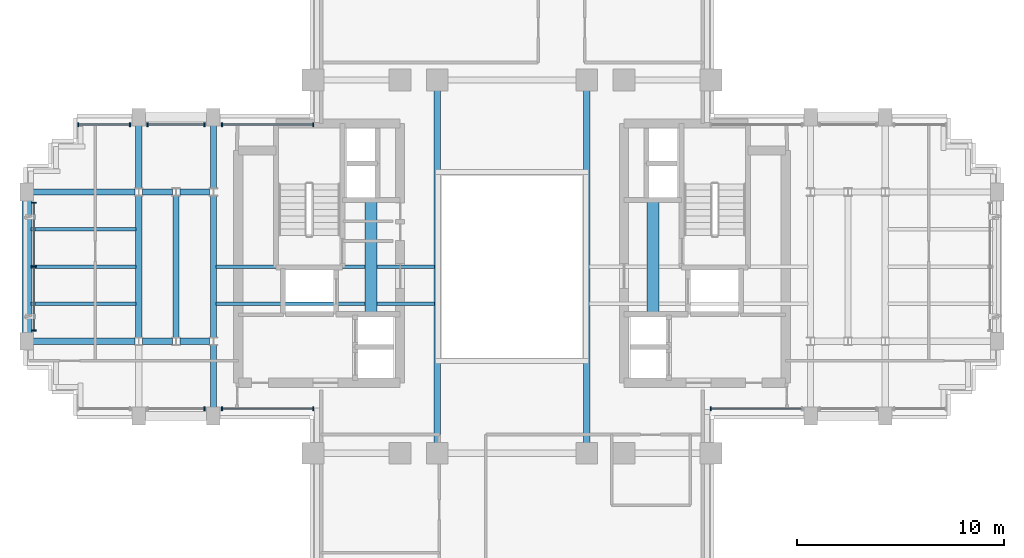
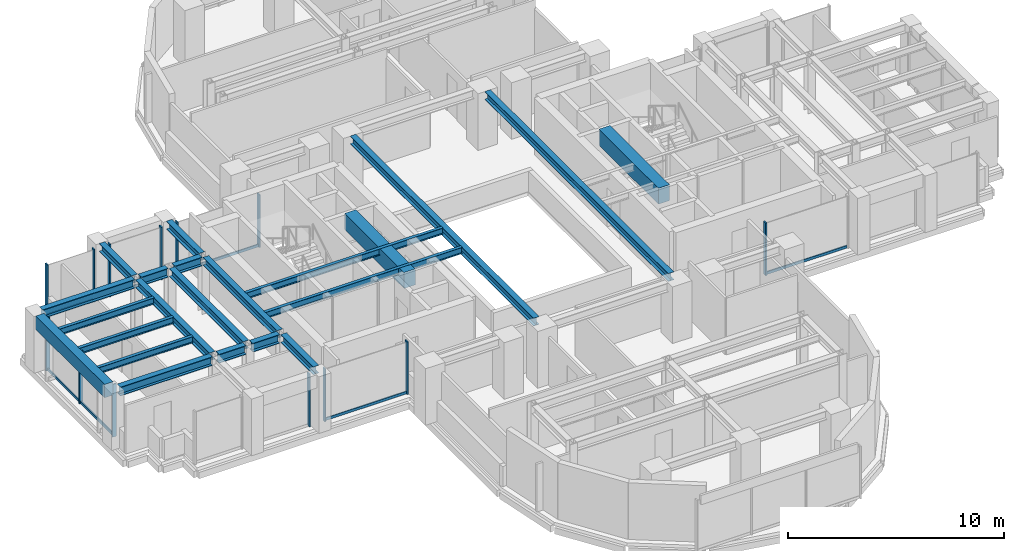
# One storey, part 4 of 14: 22 beams, 20 members, 7 elements without a shape of their own.
"""IFC4 building model written with IfcOpenShell, lengths in metres."""

from ifc_helpers import new_model, si_unit, direction, frame, origin, origin_2d, place, context, subcontext, project, spatial, rectangle, i_section, extrude, source, transform, mapped, material, material_profile, profile_set, type_object, element, aggregate, save


model = new_model("IFC4")

# Units and contexts
model_context = context("Model", 3, precision=1e-05, world=origin(), true_north=direction((0.0, 1.0)))
body_context = subcontext(model_context, "Body", "Model", "MODEL_VIEW")
ifc_project = project(units=[si_unit("LENGTHUNIT", "METRE"), si_unit("AREAUNIT", "SQUARE_METRE"), si_unit("VOLUMEUNIT", "CUBIC_METRE"), si_unit("PLANEANGLEUNIT", "RADIAN"), si_unit("MASSUNIT", "GRAM", prefix="KILO")], contexts=[model_context])

# Site, building, storey
site_placement = place(None, origin())
site = spatial("IfcSite", under=ifc_project, at=site_placement, CompositionType="ELEMENT")
building_placement = place(site_placement, origin())
building = spatial("IfcBuilding", under=site, at=building_placement, Name="Keilestroom Media Tower", CompositionType="ELEMENT")
storey_placement = place(building_placement, frame((0.0, 0.0, 114.199951171875)))
storey = spatial("IfcBuildingStorey", under=building, at=storey_placement, Name="L30", CompositionType="ELEMENT", Elevation=114.199951171875)

# Beams
ifc_material_1 = material(Name="Concrete C70/85", Category="concrete")
ifc_material_profile_1 = material_profile(ifc_material_1, rectangle(XDim=0.60009765625, YDim=0.89990234375, at=origin_2d()), Name="RC 600x900")
ifc_profile_set_1 = profile_set([ifc_material_profile_1], Name="Concrete C70/85")
beam_type_1 = type_object("IfcBeamType", Name="Core-Coupling-Lintel-Beam-RC-600x900", PredefinedType="LINTEL", material=ifc_profile_set_1)
shared_shape_1 = source(origin(), body_context, "Body", "SweptSolid", [
    extrude(rectangle(XDim=0.60009765625, YDim=0.89990234375, at=origin_2d()), origin(), (0.0, 0.0, 1.0), 5.52001953125),
])
for number, where, z_axis, x_axis, name in (
    (1, (-6.800048828125, -2.300048828125, 2.75), (0.0, 1.0, 0.0), (-1.0, 0.0, 0.0), "L30 Beam CLB-1 CLB-L30-W"),
    (2, (6.800048828125, -2.300048828125, 2.75), (0.0, 1.0, 0.0), (-1.0, 0.0, 0.0), "L30 Beam CLB-1 CLB-L30-E"),
):
    element("IfcBeam", number, at=place(storey_placement, frame(where, z_axis=z_axis, x_axis=x_axis)), inside=storey, type_object=beam_type_1, Name=name, PredefinedType="LINTEL", context=body_context, shape_type="MappedRepresentation", body=[
        mapped(shared_shape_1, transform((0.0, 0.0, 0.0), x_axis=(1.0, 0.0, 0.0), y_axis=(0.0, 1.0, 0.0), z_axis=(0.0, 0.0, 1.0), scale=1.0)),
    ])
ifc_material_2 = material(Name="Steel S355", Category="steel")
ifc_material_profile_2 = material_profile(ifc_material_2, i_section(OverallWidth=0.169921875, OverallDepth=0.360107421875, WebThickness=0.008056640625, FlangeThickness=0.0126953125, at=origin_2d()), Name="IPE 360")
ifc_profile_set_2 = profile_set([ifc_material_profile_2], Name="Steel S355")
beam_type_2 = type_object("IfcBeamType", Name="Secondary-Floor-Joist-IPE-360", PredefinedType="JOIST", material=ifc_profile_set_2)
shared_shape_2 = source(origin(), body_context, "Body", "SweptSolid", [
    extrude(i_section(OverallWidth=0.169921875, OverallDepth=0.360107421875, WebThickness=0.008056640625, FlangeThickness=0.0126953125, at=origin_2d()), origin(), (0.0, 0.0, 1.0), 10.5400390625),
])
for number, where, z_axis, x_axis, name in (
    (3, (-14.27001953125, -1.800048828125, 3.02001953125), (1.0, 0.0, 0.0), (0.0, 1.0, 0.0), "L30 Beam BJ-5 JST-L30-072"),
    (4, (-14.27001953125, 0.0, 3.02001953125), (1.0, 0.0, 0.0), (0.0, 1.0, 0.0), "L30 Beam BJ-5 JST-L30-077"),
):
    element("IfcBeam", number, at=place(storey_placement, frame(where, z_axis=z_axis, x_axis=x_axis)), inside=storey, type_object=beam_type_2, Name=name, PredefinedType="JOIST", context=body_context, shape_type="MappedRepresentation", body=[
        mapped(shared_shape_2, transform((0.0, 0.0, 0.0), x_axis=(1.0, 0.0, 0.0), y_axis=(0.0, 1.0, 0.0), z_axis=(0.0, 0.0, 1.0), scale=1.0)),
    ])
ifc_material_profile_3 = material_profile(ifc_material_2, i_section(OverallWidth=0.300048828125, OverallDepth=0.5, WebThickness=0.012451171875, FlangeThickness=0.028076171875, at=origin_2d()), Name="HEB 500")
ifc_profile_set_3 = profile_set([ifc_material_profile_3], Name="Steel S355")
beam_type_3 = type_object("IfcBeamType", Name="Primary-Structural-Girder-HEB-500", PredefinedType="BEAM", material=ifc_profile_set_3)
shared_shape_3 = source(origin(), body_context, "Body", "SweptSolid", [
    extrude(i_section(OverallWidth=0.300048828125, OverallDepth=0.5, WebThickness=0.012451171875, FlangeThickness=0.028076171875, at=origin_2d()), origin(), (0.0, 0.0, 1.0), 4.91455078125),
])
for number, where, z_axis, x_axis, name in (
    (5, (-23.094970703125, -3.60009765625, 2.949951171875), (1.0, 0.0, 0.0), (0.0, 1.0, 0.0), "L30 Beam BG-6 BM-L30-EW-014"),
    (6, (-23.094970703125, 3.60009765625, 2.949951171875), (1.0, 0.0, 0.0), (0.0, 1.0, 0.0), "L30 Beam BG-6 BM-L30-EW-020"),
):
    element("IfcBeam", number, at=place(storey_placement, frame(where, z_axis=z_axis, x_axis=x_axis)), inside=storey, type_object=beam_type_3, Name=name, PredefinedType="BEAM", context=body_context, shape_type="MappedRepresentation", body=[
        mapped(shared_shape_3, transform((0.0, 0.0, 0.0), x_axis=(1.0, 0.0, 0.0), y_axis=(0.0, 1.0, 0.0), z_axis=(0.0, 0.0, 1.0), scale=1.0)),
    ])
shared_shape_4 = source(origin(), body_context, "Body", "SweptSolid", [
    extrude(i_section(OverallWidth=0.300048828125, OverallDepth=0.5, WebThickness=0.012451171875, FlangeThickness=0.028076171875, at=origin_2d()), origin(), (0.0, 0.0, 1.0), 1.43896484375),
])
for number, where, z_axis, x_axis, name in (
    (7, (-17.819580078125, -3.60009765625, 2.949951171875), (1.0, 0.0, 0.0), (0.0, 1.0, 0.0), "L30 Beam BG-6 BM-L30-EW-015"),
    (8, (-16.01953125, -3.60009765625, 2.949951171875), (1.0, 0.0, 0.0), (0.0, 1.0, 0.0), "L30 Beam BG-6 BM-L30-EW-016"),
    (9, (-17.819580078125, 3.60009765625, 2.949951171875), (1.0, 0.0, 0.0), (0.0, 1.0, 0.0), "L30 Beam BG-6 BM-L30-EW-021"),
    (10, (-16.01953125, 3.60009765625, 2.949951171875), (1.0, 0.0, 0.0), (0.0, 1.0, 0.0), "L30 Beam BG-6 BM-L30-EW-022"),
):
    element("IfcBeam", number, at=place(storey_placement, frame(where, z_axis=z_axis, x_axis=x_axis)), inside=storey, type_object=beam_type_3, Name=name, PredefinedType="BEAM", context=body_context, shape_type="MappedRepresentation", body=[
        mapped(shared_shape_4, transform((0.0, 0.0, 0.0), x_axis=(1.0, 0.0, 0.0), y_axis=(0.0, 1.0, 0.0), z_axis=(0.0, 0.0, 1.0), scale=1.0)),
    ])
ifc_material_3 = material(Name="Precast concrete C40/50", Category="concrete")
ifc_material_profile_4 = material_profile(ifc_material_3, rectangle(XDim=0.449951171875, YDim=0.75, at=origin_2d()), Name="PC 450x750")
ifc_profile_set_4 = profile_set([ifc_material_profile_4], Name="Precast concrete C40/50")
beam_type_4 = type_object("IfcBeamType", Name="Perimeter-Spandrel-Beam-PC-450x750", PredefinedType="SPANDREL", material=ifc_profile_set_4)
shared_shape_5 = source(origin(), body_context, "Body", "SweptSolid", [
    extrude(rectangle(XDim=0.449951171875, YDim=0.75, at=origin_2d()), origin(), (0.0, 0.0, 1.0), 6.39013671875),
])
beam_placement = place(storey_placement, frame((-23.39990234375, -3.195068359375, 2.824951171875), z_axis=(0.0, 1.0, 0.0), x_axis=(-1.0, 0.0, 0.0)))
element("IfcBeam", 11, at=beam_placement, inside=storey, type_object=beam_type_4, Name="L30 Beam SPB-1 BM-L30-NS-039", PredefinedType="SPANDREL", context=body_context, shape_type="MappedRepresentation", body=[
    mapped(shared_shape_5, transform((0.0, 0.0, 0.0), x_axis=(1.0, 0.0, 0.0), y_axis=(0.0, 1.0, 0.0), z_axis=(0.0, 0.0, 1.0), scale=1.0)),
])
ifc_material_profile_5 = material_profile(ifc_material_2, i_section(OverallWidth=0.300048828125, OverallDepth=0.449951171875, WebThickness=0.011962890625, FlangeThickness=0.02587890625, at=origin_2d()), Name="HEB 450")
ifc_profile_set_5 = profile_set([ifc_material_profile_5], Name="Steel S355")
beam_type_5 = type_object("IfcBeamType", Name="Primary-Structural-Girder-HEB-450", PredefinedType="BEAM", material=ifc_profile_set_5)
shared_shape_6 = source(origin(), body_context, "Body", "SweptSolid", [
    extrude(i_section(OverallWidth=0.300048828125, OverallDepth=0.449951171875, WebThickness=0.011962890625, FlangeThickness=0.02587890625, at=origin_2d()), origin(), (0.0, 0.0, 1.0), 3.015380859375),
])
for number, where, z_axis, x_axis, name in (
    (12, (-18.0, 3.779541015625, 2.97509765625), (0.0, 1.0, 0.0), (-1.0, 0.0, 0.0), "L30 Beam BG-7 BM-L30-NS-042"),
    (13, (-14.39990234375, -6.794921875, 2.97509765625), (0.0, 1.0, 0.0), (-1.0, 0.0, 0.0), "L30 Beam BG-7 BM-L30-NS-044"),
    (14, (-14.39990234375, 3.779541015625, 2.97509765625), (0.0, 1.0, 0.0), (-1.0, 0.0, 0.0), "L30 Beam BG-7 BM-L30-NS-046"),
):
    element("IfcBeam", number, at=place(storey_placement, frame(where, z_axis=z_axis, x_axis=x_axis)), inside=storey, type_object=beam_type_5, Name=name, PredefinedType="BEAM", context=body_context, shape_type="MappedRepresentation", body=[
        mapped(shared_shape_6, transform((0.0, 0.0, 0.0), x_axis=(1.0, 0.0, 0.0), y_axis=(0.0, 1.0, 0.0), z_axis=(0.0, 0.0, 1.0), scale=1.0)),
    ])
shared_shape_7 = source(origin(), body_context, "Body", "SweptSolid", [
    extrude(i_section(OverallWidth=0.300048828125, OverallDepth=0.449951171875, WebThickness=0.011962890625, FlangeThickness=0.02587890625, at=origin_2d()), origin(), (0.0, 0.0, 1.0), 6.8408203125),
])
for number, where, z_axis, x_axis, name in (
    (15, (-18.0, -3.42041015625, 2.97509765625), (0.0, 1.0, 0.0), (-1.0, 0.0, 0.0), "L30 Beam BG-7 BM-L30-NS-041"),
    (16, (-16.199951171875, -3.42041015625, 2.97509765625), (0.0, 1.0, 0.0), (-1.0, 0.0, 0.0), "L30 Beam BG-7 BM-L30-NS-043"),
    (17, (-14.39990234375, -3.42041015625, 2.97509765625), (0.0, 1.0, 0.0), (-1.0, 0.0, 0.0), "L30 Beam BG-7 BM-L30-NS-045"),
):
    element("IfcBeam", number, at=place(storey_placement, frame(where, z_axis=z_axis, x_axis=x_axis)), inside=storey, type_object=beam_type_5, Name=name, PredefinedType="BEAM", context=body_context, shape_type="MappedRepresentation", body=[
        mapped(shared_shape_7, transform((0.0, 0.0, 0.0), x_axis=(1.0, 0.0, 0.0), y_axis=(0.0, 1.0, 0.0), z_axis=(0.0, 0.0, 1.0), scale=1.0)),
    ])
shared_shape_8 = source(origin(), body_context, "Body", "SweptSolid", [
    extrude(i_section(OverallWidth=0.300048828125, OverallDepth=0.449951171875, WebThickness=0.011962890625, FlangeThickness=0.02587890625, at=origin_2d()), origin(), (0.0, 0.0, 1.0), 16.990234375),
])
for number, where, z_axis, x_axis, name in (
    (18, (-3.60009765625, -8.4951171875, 2.97509765625), (0.0, 1.0, 0.0), (-1.0, 0.0, 0.0), "L30 Beam BG-7 BM-L30-NS-051"),
    (19, (3.60009765625, -8.4951171875, 2.97509765625), (0.0, 1.0, 0.0), (-1.0, 0.0, 0.0), "L30 Beam BG-7 BM-L30-NS-056"),
):
    element("IfcBeam", number, at=place(storey_placement, frame(where, z_axis=z_axis, x_axis=x_axis)), inside=storey, type_object=beam_type_5, Name=name, PredefinedType="BEAM", context=body_context, shape_type="MappedRepresentation", body=[
        mapped(shared_shape_8, transform((0.0, 0.0, 0.0), x_axis=(1.0, 0.0, 0.0), y_axis=(0.0, 1.0, 0.0), z_axis=(0.0, 0.0, 1.0), scale=1.0)),
    ])
shared_shape_9 = source(origin(), body_context, "Body", "SweptSolid", [
    extrude(i_section(OverallWidth=0.169921875, OverallDepth=0.360107421875, WebThickness=0.008056640625, FlangeThickness=0.0126953125, at=origin_2d()), origin(), (0.0, 0.0, 1.0), 5.065185546875),
])
for number, where, z_axis, x_axis, name in (
    (20, (-23.195068359375, -1.800048828125, 3.02001953125), (1.0, 0.0, 0.0), (0.0, 1.0, 0.0), "L30 Beam BJ-5 JST-L30-071"),
    (21, (-23.195068359375, 0.0, 3.02001953125), (1.0, 0.0, 0.0), (0.0, 1.0, 0.0), "L30 Beam BJ-5 JST-L30-076"),
    (22, (-23.195068359375, 1.800048828125, 3.02001953125), (1.0, 0.0, 0.0), (0.0, 1.0, 0.0), "L30 Beam BJ-5 JST-L30-081"),
):
    element("IfcBeam", number, at=place(storey_placement, frame(where, z_axis=z_axis, x_axis=x_axis)), inside=storey, type_object=beam_type_2, Name=name, PredefinedType="JOIST", context=body_context, shape_type="MappedRepresentation", body=[
        mapped(shared_shape_9, transform((0.0, 0.0, 0.0), x_axis=(1.0, 0.0, 0.0), y_axis=(0.0, 1.0, 0.0), z_axis=(0.0, 0.0, 1.0), scale=1.0)),
    ])

# Curtain wall, members
ifc_material_4 = material(Name="Anodised Aluminium Alloy", Category="aluminium")
curtain_wall_type = type_object("IfcCurtainWallType", Name="Unitised-Curtain-Wall-CW-2", PredefinedType="NOTDEFINED", material=ifc_material_4)
curtain_wall_1_placement = place(storey_placement, origin())
curtain_wall_1 = element("IfcCurtainWall", 23, at=curtain_wall_1_placement, inside=storey, type_object=curtain_wall_type, Name="L30 Curtain Wall CW-2 CW-L30-W-1", PredefinedType="NOTDEFINED")
ifc_material_profile_6 = material_profile(ifc_material_4, rectangle(XDim=0.070068359375, YDim=0.199951171875, at=origin_2d()), Name="ALU MULLION 70x200")
ifc_profile_set_6 = profile_set([ifc_material_profile_6], Name="Anodised Aluminium Alloy")
member_type_1 = type_object("IfcMemberType", Name="Curtain-Wall-Mullion-CW-2", PredefinedType="MULLION", material=ifc_profile_set_6)
shared_shape_10 = source(origin(), body_context, "Body", "SweptSolid", [
    extrude(rectangle(XDim=0.070068359375, YDim=0.199951171875, at=origin_2d()), origin(), (0.0, 0.0, 1.0), 2.97998046875),
])
member_1_placement = place(storey_placement, frame((-23.050048828125, -3.080078125, 0.0), z_axis=(0.0, 0.0, 1.0), x_axis=(0.0, 1.0, 0.0)))
member_1 = element("IfcMember", 24, at=member_1_placement, type_object=member_type_1, Name="CW-2 Mullion 00", PredefinedType="MULLION", context=body_context, shape_type="MappedRepresentation", body=[
    mapped(shared_shape_10, transform((0.0, 0.0, 0.0), x_axis=(1.0, 0.0, 0.0), y_axis=(0.0, 1.0, 0.0), z_axis=(0.0, 0.0, 1.0), scale=1.0)),
])
member_2_placement = place(storey_placement, frame((-23.050048828125, 0.0, 0.0), z_axis=(0.0, 0.0, 1.0), x_axis=(0.0, 1.0, 0.0)))
member_2 = element("IfcMember", 25, at=member_2_placement, type_object=member_type_1, Name="CW-2 Mullion 01", PredefinedType="MULLION", context=body_context, shape_type="MappedRepresentation", body=[
    mapped(shared_shape_10, transform((0.0, 0.0, 0.0), x_axis=(1.0, 0.0, 0.0), y_axis=(0.0, 1.0, 0.0), z_axis=(0.0, 0.0, 1.0), scale=1.0)),
])
member_3_placement = place(storey_placement, frame((-23.050048828125, 3.080078125, 0.0), z_axis=(0.0, 0.0, 1.0), x_axis=(0.0, 1.0, 0.0)))
member_3 = element("IfcMember", 26, at=member_3_placement, type_object=member_type_1, Name="CW-2 Mullion 02", PredefinedType="MULLION", context=body_context, shape_type="MappedRepresentation", body=[
    mapped(shared_shape_10, transform((0.0, 0.0, 0.0), x_axis=(1.0, 0.0, 0.0), y_axis=(0.0, 1.0, 0.0), z_axis=(0.0, 0.0, 1.0), scale=1.0)),
])

curtain_wall_2_placement = place(storey_placement, origin())
curtain_wall_2 = element("IfcCurtainWall", 27, at=curtain_wall_2_placement, inside=storey, type_object=curtain_wall_type, Name="L30 Curtain Wall CW-2 CW-L30-NW-1", PredefinedType="NOTDEFINED")
member_4_placement = place(storey_placement, frame((-20.9150390625, 6.85009765625, 0.0), z_axis=(0.0, 0.0, 1.0), x_axis=(1.0, 0.0, 0.0)))
member_4 = element("IfcMember", 28, at=member_4_placement, type_object=member_type_1, Name="CW-2 Mullion 00", PredefinedType="MULLION", context=body_context, shape_type="MappedRepresentation", body=[
    mapped(shared_shape_10, transform((0.0, 0.0, 0.0), x_axis=(1.0, 0.0, 0.0), y_axis=(0.0, 1.0, 0.0), z_axis=(0.0, 0.0, 1.0), scale=1.0)),
])
member_5_placement = place(storey_placement, frame((-18.419921875, 6.85009765625, 0.0), z_axis=(0.0, 0.0, 1.0), x_axis=(1.0, 0.0, 0.0)))
member_5 = element("IfcMember", 29, at=member_5_placement, type_object=member_type_1, Name="CW-2 Mullion 01", PredefinedType="MULLION", context=body_context, shape_type="MappedRepresentation", body=[
    mapped(shared_shape_10, transform((0.0, 0.0, 0.0), x_axis=(1.0, 0.0, 0.0), y_axis=(0.0, 1.0, 0.0), z_axis=(0.0, 0.0, 1.0), scale=1.0)),
])

curtain_wall_3_placement = place(storey_placement, origin())
curtain_wall_3 = element("IfcCurtainWall", 30, at=curtain_wall_3_placement, inside=storey, type_object=curtain_wall_type, Name="L30 Curtain Wall CW-2 CW-L30-NW-2", PredefinedType="NOTDEFINED")
member_6_placement = place(storey_placement, frame((-17.580078125, 6.85009765625, 0.0), z_axis=(0.0, 0.0, 1.0), x_axis=(1.0, 0.0, 0.0)))
member_6 = element("IfcMember", 31, at=member_6_placement, type_object=member_type_1, Name="CW-2 Mullion 00", PredefinedType="MULLION", context=body_context, shape_type="MappedRepresentation", body=[
    mapped(shared_shape_10, transform((0.0, 0.0, 0.0), x_axis=(1.0, 0.0, 0.0), y_axis=(0.0, 1.0, 0.0), z_axis=(0.0, 0.0, 1.0), scale=1.0)),
])
member_7_placement = place(storey_placement, frame((-14.820068359375, 6.85009765625, 0.0), z_axis=(0.0, 0.0, 1.0), x_axis=(1.0, 0.0, 0.0)))
member_7 = element("IfcMember", 32, at=member_7_placement, type_object=member_type_1, Name="CW-2 Mullion 01", PredefinedType="MULLION", context=body_context, shape_type="MappedRepresentation", body=[
    mapped(shared_shape_10, transform((0.0, 0.0, 0.0), x_axis=(1.0, 0.0, 0.0), y_axis=(0.0, 1.0, 0.0), z_axis=(0.0, 0.0, 1.0), scale=1.0)),
])

curtain_wall_4_placement = place(storey_placement, origin())
curtain_wall_4 = element("IfcCurtainWall", 33, at=curtain_wall_4_placement, inside=storey, type_object=curtain_wall_type, Name="L30 Curtain Wall CW-2 CW-L30-NW-3", PredefinedType="NOTDEFINED")
member_8_placement = place(storey_placement, frame((-13.97998046875, 6.85009765625, 0.0), z_axis=(0.0, 0.0, 1.0), x_axis=(1.0, 0.0, 0.0)))
member_8 = element("IfcMember", 34, at=member_8_placement, type_object=member_type_1, Name="CW-2 Mullion 00", PredefinedType="MULLION", context=body_context, shape_type="MappedRepresentation", body=[
    mapped(shared_shape_10, transform((0.0, 0.0, 0.0), x_axis=(1.0, 0.0, 0.0), y_axis=(0.0, 1.0, 0.0), z_axis=(0.0, 0.0, 1.0), scale=1.0)),
])
member_9_placement = place(storey_placement, frame((-9.5849609375, 6.85009765625, 0.0), z_axis=(0.0, 0.0, 1.0), x_axis=(1.0, 0.0, 0.0)))
member_9 = element("IfcMember", 35, at=member_9_placement, type_object=member_type_1, Name="CW-2 Mullion 01", PredefinedType="MULLION", context=body_context, shape_type="MappedRepresentation", body=[
    mapped(shared_shape_10, transform((0.0, 0.0, 0.0), x_axis=(1.0, 0.0, 0.0), y_axis=(0.0, 1.0, 0.0), z_axis=(0.0, 0.0, 1.0), scale=1.0)),
])

# Curtain wall, member
curtain_wall_5_placement = place(storey_placement, origin())
curtain_wall_5 = element("IfcCurtainWall", 36, at=curtain_wall_5_placement, inside=storey, type_object=curtain_wall_type, Name="L30 Curtain Wall CW-2 CW-L30-SW-2", PredefinedType="NOTDEFINED")
member_10_placement = place(storey_placement, frame((-14.820068359375, -6.85009765625, 0.0), z_axis=(0.0, 0.0, 1.0), x_axis=(1.0, 0.0, 0.0)))
member_10 = element("IfcMember", 37, at=member_10_placement, type_object=member_type_1, Name="CW-2 Mullion 01", PredefinedType="MULLION", context=body_context, shape_type="MappedRepresentation", body=[
    mapped(shared_shape_10, transform((0.0, 0.0, 0.0), x_axis=(1.0, 0.0, 0.0), y_axis=(0.0, 1.0, 0.0), z_axis=(0.0, 0.0, 1.0), scale=1.0)),
])
aggregate(curtain_wall_5, [member_10])

# Curtain wall, members
curtain_wall_6_placement = place(storey_placement, origin())
curtain_wall_6 = element("IfcCurtainWall", 38, at=curtain_wall_6_placement, inside=storey, type_object=curtain_wall_type, Name="L30 Curtain Wall CW-2 CW-L30-SW-3", PredefinedType="NOTDEFINED")
member_11_placement = place(storey_placement, frame((-13.97998046875, -6.85009765625, 0.0), z_axis=(0.0, 0.0, 1.0), x_axis=(1.0, 0.0, 0.0)))
member_11 = element("IfcMember", 39, at=member_11_placement, type_object=member_type_1, Name="CW-2 Mullion 00", PredefinedType="MULLION", context=body_context, shape_type="MappedRepresentation", body=[
    mapped(shared_shape_10, transform((0.0, 0.0, 0.0), x_axis=(1.0, 0.0, 0.0), y_axis=(0.0, 1.0, 0.0), z_axis=(0.0, 0.0, 1.0), scale=1.0)),
])
member_12_placement = place(storey_placement, frame((-9.5849609375, -6.85009765625, 0.0), z_axis=(0.0, 0.0, 1.0), x_axis=(1.0, 0.0, 0.0)))
member_12 = element("IfcMember", 40, at=member_12_placement, type_object=member_type_1, Name="CW-2 Mullion 01", PredefinedType="MULLION", context=body_context, shape_type="MappedRepresentation", body=[
    mapped(shared_shape_10, transform((0.0, 0.0, 0.0), x_axis=(1.0, 0.0, 0.0), y_axis=(0.0, 1.0, 0.0), z_axis=(0.0, 0.0, 1.0), scale=1.0)),
])

# Curtain wall, member
curtain_wall_7_placement = place(storey_placement, origin())
curtain_wall_7 = element("IfcCurtainWall", 41, at=curtain_wall_7_placement, inside=storey, type_object=curtain_wall_type, Name="L30 Curtain Wall CW-2 CW-L30-SE-1", PredefinedType="NOTDEFINED")
member_13_placement = place(storey_placement, frame((9.5849609375, -6.85009765625, 0.0), z_axis=(0.0, 0.0, 1.0), x_axis=(1.0, 0.0, 0.0)))
member_13 = element("IfcMember", 42, at=member_13_placement, type_object=member_type_1, Name="CW-2 Mullion 00", PredefinedType="MULLION", context=body_context, shape_type="MappedRepresentation", body=[
    mapped(shared_shape_10, transform((0.0, 0.0, 0.0), x_axis=(1.0, 0.0, 0.0), y_axis=(0.0, 1.0, 0.0), z_axis=(0.0, 0.0, 1.0), scale=1.0)),
])

# Member
ifc_material_profile_7 = material_profile(ifc_material_4, rectangle(XDim=0.06494140625, YDim=0.14990234375, at=origin_2d()), Name="ALU TRANSOM 65x150")
ifc_profile_set_7 = profile_set([ifc_material_profile_7], Name="Anodised Aluminium Alloy")
member_type_2 = type_object("IfcMemberType", Name="Curtain-Wall-Transom-CW-2", PredefinedType="USERDEFINED", material=ifc_profile_set_7)
shared_shape_11 = source(origin(), body_context, "Body", "SweptSolid", [
    extrude(rectangle(XDim=0.06494140625, YDim=0.14990234375, at=origin_2d()), origin(), (0.0, 0.0, 1.0), 2.42919921875),
])
member_14_placement = place(storey_placement, frame((-20.882080078125, 6.85009765625, 0.074951171875), z_axis=(1.0, 0.0, 0.0), x_axis=(0.0, 1.0, 0.0)))
member_14 = element("IfcMember", 43, at=member_14_placement, type_object=member_type_2, Name="CW-2 Transom 00.1", ObjectType="TRANSOM", PredefinedType="USERDEFINED", context=body_context, shape_type="MappedRepresentation", body=[
    mapped(shared_shape_11, transform((0.0, 0.0, 0.0), x_axis=(1.0, 0.0, 0.0), y_axis=(0.0, 1.0, 0.0), z_axis=(0.0, 0.0, 1.0), scale=1.0)),
])

aggregate(curtain_wall_2, [member_4, member_5, member_14])

shared_shape_12 = source(origin(), body_context, "Body", "SweptSolid", [
    extrude(rectangle(XDim=0.06494140625, YDim=0.14990234375, at=origin_2d()), origin(), (0.0, 0.0, 1.0), 2.694091796875),
])
member_15_placement = place(storey_placement, frame((-17.547119140625, 6.85009765625, 0.074951171875), z_axis=(1.0, 0.0, 0.0), x_axis=(0.0, 1.0, 0.0)))
member_15 = element("IfcMember", 44, at=member_15_placement, type_object=member_type_2, Name="CW-2 Transom 00.1", ObjectType="TRANSOM", PredefinedType="USERDEFINED", context=body_context, shape_type="MappedRepresentation", body=[
    mapped(shared_shape_12, transform((0.0, 0.0, 0.0), x_axis=(1.0, 0.0, 0.0), y_axis=(0.0, 1.0, 0.0), z_axis=(0.0, 0.0, 1.0), scale=1.0)),
])

aggregate(curtain_wall_3, [member_6, member_7, member_15])

shared_shape_13 = source(origin(), body_context, "Body", "SweptSolid", [
    extrude(rectangle(XDim=0.06494140625, YDim=0.14990234375, at=origin_2d()), origin(), (0.0, 0.0, 1.0), 4.3291015625),
])
member_16_placement = place(storey_placement, frame((-13.947021484375, 6.85009765625, 0.074951171875), z_axis=(1.0, 0.0, 0.0), x_axis=(0.0, 1.0, 0.0)))
member_16 = element("IfcMember", 45, at=member_16_placement, type_object=member_type_2, Name="CW-2 Transom 00.1", ObjectType="TRANSOM", PredefinedType="USERDEFINED", context=body_context, shape_type="MappedRepresentation", body=[
    mapped(shared_shape_13, transform((0.0, 0.0, 0.0), x_axis=(1.0, 0.0, 0.0), y_axis=(0.0, 1.0, 0.0), z_axis=(0.0, 0.0, 1.0), scale=1.0)),
])

aggregate(curtain_wall_4, [member_8, member_9, member_16])

member_17_placement = place(storey_placement, frame((-13.947021484375, -6.85009765625, 0.074951171875), z_axis=(1.0, 0.0, 0.0), x_axis=(0.0, 1.0, 0.0)))
member_17 = element("IfcMember", 46, at=member_17_placement, type_object=member_type_2, Name="CW-2 Transom 00.1", ObjectType="TRANSOM", PredefinedType="USERDEFINED", context=body_context, shape_type="MappedRepresentation", body=[
    mapped(shared_shape_13, transform((0.0, 0.0, 0.0), x_axis=(1.0, 0.0, 0.0), y_axis=(0.0, 1.0, 0.0), z_axis=(0.0, 0.0, 1.0), scale=1.0)),
])

aggregate(curtain_wall_6, [member_11, member_12, member_17])

member_18_placement = place(storey_placement, frame((9.617919921875, -6.85009765625, 0.074951171875), z_axis=(1.0, 0.0, 0.0), x_axis=(0.0, 1.0, 0.0)))
member_18 = element("IfcMember", 47, at=member_18_placement, type_object=member_type_2, Name="CW-2 Transom 00.1", ObjectType="TRANSOM", PredefinedType="USERDEFINED", context=body_context, shape_type="MappedRepresentation", body=[
    mapped(shared_shape_13, transform((0.0, 0.0, 0.0), x_axis=(1.0, 0.0, 0.0), y_axis=(0.0, 1.0, 0.0), z_axis=(0.0, 0.0, 1.0), scale=1.0)),
])

aggregate(curtain_wall_7, [member_13, member_18])

shared_shape_14 = source(origin(), body_context, "Body", "SweptSolid", [
    extrude(rectangle(XDim=0.06494140625, YDim=0.14990234375, at=origin_2d()), origin(), (0.0, 0.0, 1.0), 3.01416015625),
])
member_19_placement = place(storey_placement, frame((-23.050048828125, -3.047119140625, 0.074951171875), z_axis=(0.0, 1.0, 0.0), x_axis=(-1.0, 0.0, 0.0)))
member_19 = element("IfcMember", 48, at=member_19_placement, type_object=member_type_2, Name="CW-2 Transom 00.1", ObjectType="TRANSOM", PredefinedType="USERDEFINED", context=body_context, shape_type="MappedRepresentation", body=[
    mapped(shared_shape_14, transform((0.0, 0.0, 0.0), x_axis=(1.0, 0.0, 0.0), y_axis=(0.0, 1.0, 0.0), z_axis=(0.0, 0.0, 1.0), scale=1.0)),
])

member_20_placement = place(storey_placement, frame((-23.050048828125, 0.032958984375, 0.074951171875), z_axis=(0.0, 1.0, 0.0), x_axis=(-1.0, 0.0, 0.0)))
member_20 = element("IfcMember", 49, at=member_20_placement, type_object=member_type_2, Name="CW-2 Transom 01.1", ObjectType="TRANSOM", PredefinedType="USERDEFINED", context=body_context, shape_type="MappedRepresentation", body=[
    mapped(shared_shape_14, transform((0.0, 0.0, 0.0), x_axis=(1.0, 0.0, 0.0), y_axis=(0.0, 1.0, 0.0), z_axis=(0.0, 0.0, 1.0), scale=1.0)),
])

aggregate(curtain_wall_1, [member_1, member_2, member_3, member_19, member_20])

save(model, "model.ifc")
